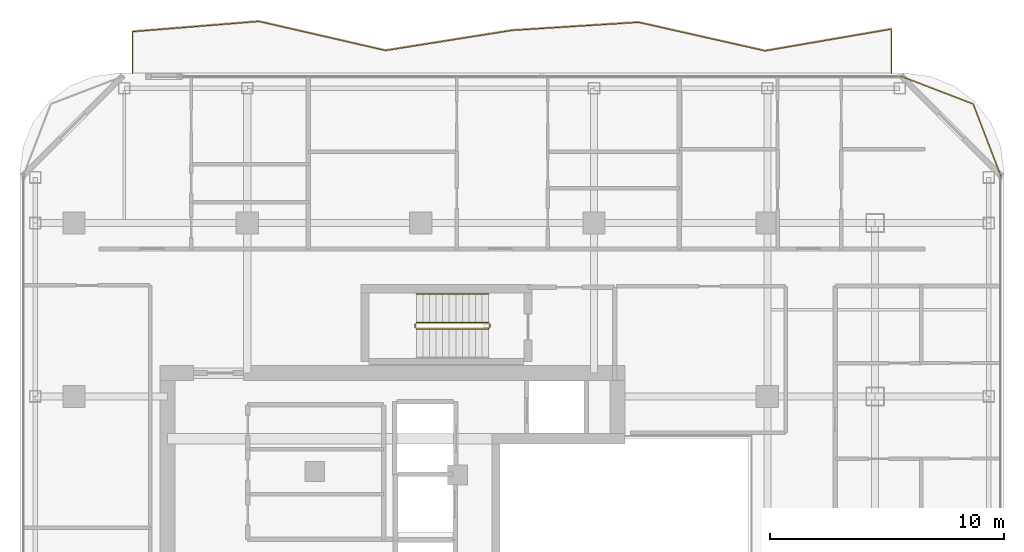
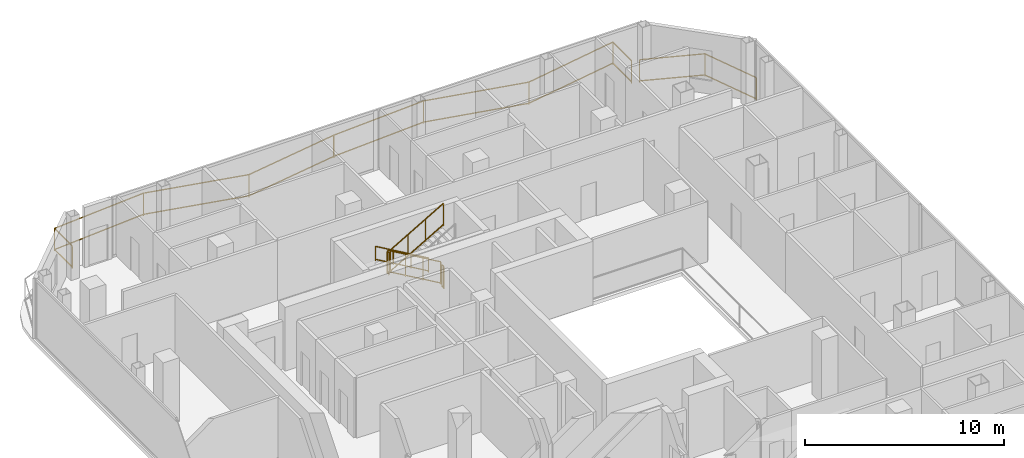
# One storey, part 23 of 23: 7 railings.
"""IFC4 building model written with IfcOpenShell, lengths in metres."""

from ifc_helpers import new_model, si_unit, direction, frame, origin, origin_2d, place, context, subcontext, project, spatial, rectangle, extrude, material, type_object, element, save


model = new_model("IFC4")

# Units and contexts
model_context = context("Model", 3, precision=1e-05, world=origin(), true_north=direction((0.0, 1.0)))
body_context = subcontext(model_context, "Body", "Model", "MODEL_VIEW")
ifc_project = project(units=[si_unit("LENGTHUNIT", "METRE"), si_unit("AREAUNIT", "SQUARE_METRE"), si_unit("VOLUMEUNIT", "CUBIC_METRE"), si_unit("PLANEANGLEUNIT", "RADIAN"), si_unit("MASSUNIT", "GRAM", prefix="KILO")], contexts=[model_context])

# Site, building, storey
site_placement = place(None, origin())
site = spatial("IfcSite", under=ifc_project, at=site_placement, CompositionType="ELEMENT")
building_placement = place(site_placement, origin())
building = spatial("IfcBuilding", under=site, at=building_placement, Name="Khorvyn Point Tower", CompositionType="ELEMENT")
storey_placement = place(building_placement, frame((0.0, 0.0, 258.60009765625)))
storey = spatial("IfcBuildingStorey", under=building, at=storey_placement, Name="L63", CompositionType="ELEMENT", Elevation=258.60009765625)

# Railings
ifc_material_1 = material(Name="Anodised aluminium 6063-T6 and laminated safety glass", Category="aluminium")
railing_type_1 = type_object("IfcRailingType", Name="Laminated Glass and Aluminium Balcony Guardrail 1400", PredefinedType="BALUSTRADE", material=ifc_material_1)
railing_1_placement = place(storey_placement, frame((24.7744140625, 16.78662109375, 0.0)))
element("IfcRailing", 1, at=railing_1_placement, inside=storey, type_object=railing_type_1, Name="L63 Rounded Corner Edge Guardrail NE", PredefinedType="BALUSTRADE", context=body_context, shape_type="SweptSolid", body=[
    extrude(rectangle(XDim=0.048095703125, YDim=0.048095703125, at=origin_2d()), frame((0.0, 0.0, 1.3759765625), z_axis=(-0.358392411044, 0.93357103624, 0.0), x_axis=(-0.93357103624, -0.358392411044, 0.0)), (0.0, 0.0, 1.0), 3.31884765625),
    extrude(rectangle(XDim=0.048095703125, YDim=0.048095703125, at=origin_2d()), frame((0.0, 0.0, 0.080078125), z_axis=(-0.358392411044, 0.93357103624, 0.0), x_axis=(-0.93357103624, -0.358392411044, 0.0)), (0.0, 0.0, 1.0), 3.31884765625),
    extrude(rectangle(XDim=0.048095703125, YDim=0.048095703125, at=origin_2d()), frame((-1.189453125, 3.098388671875, 1.3759765625), z_axis=(-0.93357103624, 0.358392411044, 0.0), x_axis=(-0.358392411044, -0.93357103624, 0.0)), (0.0, 0.0, 1.0), 3.31884765625),
    extrude(rectangle(XDim=0.048095703125, YDim=0.048095703125, at=origin_2d()), frame((-1.189453125, 3.098388671875, 0.080078125), z_axis=(-0.93357103624, 0.358392411044, 0.0), x_axis=(-0.358392411044, -0.93357103624, 0.0)), (0.0, 0.0, 1.0), 3.31884765625),
    extrude(rectangle(XDim=0.0419921875, YDim=0.0419921875, at=origin_2d()), origin(), (0.0, 0.0, 1.0), 1.351806640625),
    extrude(rectangle(XDim=0.0419921875, YDim=0.0419921875, at=origin_2d()), frame((-1.189453125, 3.098388671875, 0.0)), (0.0, 0.0, 1.0), 1.351806640625),
    extrude(rectangle(XDim=0.0419921875, YDim=0.0419921875, at=origin_2d()), frame((-4.287841796875, 4.287841796875, 0.0)), (0.0, 0.0, 1.0), 1.351806640625),
])
railing_2_placement = place(storey_placement, frame((20.10009765625, 21.199951171875, 0.0)))
element("IfcRailing", 2, at=railing_2_placement, inside=storey, type_object=railing_type_1, Name="L63 North Balcony Guardrail", PredefinedType="BALUSTRADE", context=body_context, shape_type="SweptSolid", body=[
    extrude(rectangle(XDim=0.048095703125, YDim=0.048095703125, at=origin_2d()), frame((0.0, 0.0, 1.3759765625), z_axis=(0.0, 1.0, 0.0), x_axis=(-1.0, 0.0, 0.0)), (0.0, 0.0, 1.0), 1.881591796875),
    extrude(rectangle(XDim=0.048095703125, YDim=0.048095703125, at=origin_2d()), frame((0.0, 0.0, 0.080078125), z_axis=(0.0, 1.0, 0.0), x_axis=(-1.0, 0.0, 0.0)), (0.0, 0.0, 1.0), 1.881591796875),
    extrude(rectangle(XDim=0.048095703125, YDim=0.048095703125, at=origin_2d()), frame((0.0, 1.881591796875, 1.3759765625), z_axis=(-0.985524357442, -0.169533893036, 0.0), x_axis=(0.169533893036, -0.985524357442, 0.0)), (0.0, 0.0, 1.0), 5.4794921875),
    extrude(rectangle(XDim=0.048095703125, YDim=0.048095703125, at=origin_2d()), frame((0.0, 1.881591796875, 0.080078125), z_axis=(-0.985524357442, -0.169533893036, 0.0), x_axis=(0.169533893036, -0.985524357442, 0.0)), (0.0, 0.0, 1.0), 5.4794921875),
    extrude(rectangle(XDim=0.048095703125, YDim=0.048095703125, at=origin_2d()), frame((-5.400146484375, 0.95263671875, 1.3759765625), z_axis=(-0.975510952873, 0.219950860023, 0.0), x_axis=(-0.219950860023, -0.975510952873, 0.0)), (0.0, 0.0, 1.0), 5.535400390625),
    extrude(rectangle(XDim=0.048095703125, YDim=0.048095703125, at=origin_2d()), frame((-5.400146484375, 0.95263671875, 0.080078125), z_axis=(-0.975510952873, 0.219950860023, 0.0), x_axis=(-0.219950860023, -0.975510952873, 0.0)), (0.0, 0.0, 1.0), 5.535400390625),
    extrude(rectangle(XDim=0.048095703125, YDim=0.048095703125, at=origin_2d()), frame((-10.800048828125, 2.170166015625, 1.3759765625), z_axis=(-0.997982973063, -0.063482166603, 0.0), x_axis=(0.063482166603, -0.997982973063, 0.0)), (0.0, 0.0, 1.0), 5.4111328125),
    extrude(rectangle(XDim=0.048095703125, YDim=0.048095703125, at=origin_2d()), frame((-10.800048828125, 2.170166015625, 0.080078125), z_axis=(-0.997982973063, -0.063482166603, 0.0), x_axis=(0.063482166603, -0.997982973063, 0.0)), (0.0, 0.0, 1.0), 5.4111328125),
    extrude(rectangle(XDim=0.048095703125, YDim=0.048095703125, at=origin_2d()), frame((-16.2001953125, 1.82666015625, 1.3759765625), z_axis=(-0.987592585176, -0.157037848, 0.0), x_axis=(0.157037848, -0.987592585176, 0.0)), (0.0, 0.0, 1.0), 5.4677734375),
    extrude(rectangle(XDim=0.048095703125, YDim=0.048095703125, at=origin_2d()), frame((-16.2001953125, 1.82666015625, 0.080078125), z_axis=(-0.987592585176, -0.157037848, 0.0), x_axis=(0.157037848, -0.987592585176, 0.0)), (0.0, 0.0, 1.0), 5.4677734375),
    extrude(rectangle(XDim=0.048095703125, YDim=0.048095703125, at=origin_2d()), frame((-21.60009765625, 0.968017578125, 1.3759765625), z_axis=(-0.974604637949, 0.223932578445, 0.0), x_axis=(-0.223932578445, -0.974604637949, 0.0)), (0.0, 0.0, 1.0), 5.54052734375),
    extrude(rectangle(XDim=0.048095703125, YDim=0.048095703125, at=origin_2d()), frame((-21.60009765625, 0.968017578125, 0.080078125), z_axis=(-0.974604637949, 0.223932578445, 0.0), x_axis=(-0.223932578445, -0.974604637949, 0.0)), (0.0, 0.0, 1.0), 5.54052734375),
    extrude(rectangle(XDim=0.048095703125, YDim=0.048095703125, at=origin_2d()), frame((-27.0, 2.208740234375, 1.3759765625), z_axis=(-0.996730617582, -0.080796509667, 0.0), x_axis=(0.080796509667, -0.996730617582, 0.0)), (0.0, 0.0, 1.0), 5.41796875),
    extrude(rectangle(XDim=0.048095703125, YDim=0.048095703125, at=origin_2d()), frame((-27.0, 2.208740234375, 0.080078125), z_axis=(-0.996730617582, -0.080796509667, 0.0), x_axis=(0.080796509667, -0.996730617582, 0.0)), (0.0, 0.0, 1.0), 5.41796875),
    extrude(rectangle(XDim=0.048095703125, YDim=0.048095703125, at=origin_2d()), frame((-32.400146484375, 1.77099609375, 1.3759765625), z_axis=(0.0, -1.0, 0.0), x_axis=(1.0, 0.0, 0.0)), (0.0, 0.0, 1.0), 1.77099609375),
    extrude(rectangle(XDim=0.048095703125, YDim=0.048095703125, at=origin_2d()), frame((-32.400146484375, 1.77099609375, 0.080078125), z_axis=(0.0, -1.0, 0.0), x_axis=(1.0, 0.0, 0.0)), (0.0, 0.0, 1.0), 1.77099609375),
    extrude(rectangle(XDim=0.0419921875, YDim=0.0419921875, at=origin_2d()), origin(), (0.0, 0.0, 1.0), 1.351806640625),
    extrude(rectangle(XDim=0.0419921875, YDim=0.0419921875, at=origin_2d()), frame((0.0, 1.881591796875, 0.0)), (0.0, 0.0, 1.0), 1.351806640625),
    extrude(rectangle(XDim=0.0419921875, YDim=0.0419921875, at=origin_2d()), frame((-5.400146484375, 0.95263671875, 0.0)), (0.0, 0.0, 1.0), 1.351806640625),
    extrude(rectangle(XDim=0.0419921875, YDim=0.0419921875, at=origin_2d()), frame((-10.800048828125, 2.170166015625, 0.0)), (0.0, 0.0, 1.0), 1.351806640625),
    extrude(rectangle(XDim=0.0419921875, YDim=0.0419921875, at=origin_2d()), frame((-16.2001953125, 1.82666015625, 0.0)), (0.0, 0.0, 1.0), 1.351806640625),
    extrude(rectangle(XDim=0.0419921875, YDim=0.0419921875, at=origin_2d()), frame((-21.60009765625, 0.968017578125, 0.0)), (0.0, 0.0, 1.0), 1.351806640625),
    extrude(rectangle(XDim=0.0419921875, YDim=0.0419921875, at=origin_2d()), frame((-27.0, 2.208740234375, 0.0)), (0.0, 0.0, 1.0), 1.351806640625),
    extrude(rectangle(XDim=0.0419921875, YDim=0.0419921875, at=origin_2d()), frame((-32.400146484375, 1.77099609375, 0.0)), (0.0, 0.0, 1.0), 1.351806640625),
    extrude(rectangle(XDim=0.0419921875, YDim=0.0419921875, at=origin_2d()), frame((-32.400146484375, 0.0, 0.0)), (0.0, 0.0, 1.0), 1.351806640625),
])
ifc_material_2 = material(Name="Stainless steel 1.4301", Category="steel")
railing_type_2 = type_object("IfcRailingType", Name="Stainless Steel 304 Stair Pitch Handrail 900", PredefinedType="HANDRAIL", material=ifc_material_2)
railing_3_placement = place(storey_placement, frame((2.89990234375, 11.77001953125, 0.162353515625)))
element("IfcRailing", 3, at=railing_3_placement, inside=storey, type_object=railing_type_2, Name="L63 ST-02 stair handrail 1", PredefinedType="HANDRAIL", context=body_context, shape_type="SweptSolid", body=[
    extrude(rectangle(XDim=0.048095703125, YDim=0.048095703125, at=origin_2d()), frame((0.0, 0.0, 0.8759765625), z_axis=(-0.864873446163, 0.0, 0.501989962173), x_axis=(0.0, -1.0, 0.0)), (0.0, 0.0, 1.0), 3.56103515625),
    extrude(rectangle(XDim=0.048095703125, YDim=0.048095703125, at=origin_2d()), frame((0.0, 0.0, 0.080078125), z_axis=(-0.864873446163, 0.0, 0.501989962173), x_axis=(0.0, -1.0, 0.0)), (0.0, 0.0, 1.0), 3.56103515625),
    extrude(rectangle(XDim=0.0419921875, YDim=0.0419921875, at=origin_2d()), origin(), (0.0, 0.0, 1.0), 0.851806640625),
    extrude(rectangle(XDim=0.0419921875, YDim=0.0419921875, at=origin_2d()), frame((-1.026611328125, 0.0, 0.595947265625)), (0.0, 0.0, 1.0), 0.851806640625),
    extrude(rectangle(XDim=0.0419921875, YDim=0.0419921875, at=origin_2d()), frame((-2.05322265625, 0.0, 1.191650390625)), (0.0, 0.0, 1.0), 0.851806640625),
    extrude(rectangle(XDim=0.0419921875, YDim=0.0419921875, at=origin_2d()), frame((-3.079833984375, 0.0, 1.78759765625)), (0.0, 0.0, 1.0), 0.851806640625),
])
railing_type_3 = type_object("IfcRailingType", Name="Stainless Steel 304 Stair Well Guardrail 1400", PredefinedType="GUARDRAIL", material=ifc_material_2)
railing_4_placement = place(storey_placement, frame((2.89990234375, 10.550048828125, 0.162353515625)))
element("IfcRailing", 4, at=railing_4_placement, inside=storey, type_object=railing_type_3, Name="L63 ST-02 stair guard 1", PredefinedType="GUARDRAIL", context=body_context, shape_type="SweptSolid", body=[
    extrude(rectangle(XDim=0.048095703125, YDim=0.048095703125, at=origin_2d()), frame((0.0, 0.0, 1.3759765625), z_axis=(-0.864873446163, 0.0, 0.501989962173), x_axis=(0.0, -1.0, 0.0)), (0.0, 0.0, 1.0), 3.56103515625),
    extrude(rectangle(XDim=0.048095703125, YDim=0.048095703125, at=origin_2d()), frame((0.0, 0.0, 0.080078125), z_axis=(-0.864873446163, 0.0, 0.501989962173), x_axis=(0.0, -1.0, 0.0)), (0.0, 0.0, 1.0), 3.56103515625),
    extrude(rectangle(XDim=0.0419921875, YDim=0.0419921875, at=origin_2d()), origin(), (0.0, 0.0, 1.0), 1.351806640625),
    extrude(rectangle(XDim=0.0419921875, YDim=0.0419921875, at=origin_2d()), frame((-1.026611328125, 0.0, 0.595947265625)), (0.0, 0.0, 1.0), 1.351806640625),
    extrude(rectangle(XDim=0.0419921875, YDim=0.0419921875, at=origin_2d()), frame((-2.05322265625, 0.0, 1.191650390625)), (0.0, 0.0, 1.0), 1.351806640625),
    extrude(rectangle(XDim=0.0419921875, YDim=0.0419921875, at=origin_2d()), frame((-3.079833984375, 0.0, 1.78759765625)), (0.0, 0.0, 1.0), 1.351806640625),
])
railing_5_placement = place(storey_placement, frame((-0.22998046875, 10.5, 1.949951171875)))
element("IfcRailing", 5, at=railing_5_placement, inside=storey, type_object=railing_type_3, Name="L63 ST-02 stair guard 2", PredefinedType="GUARDRAIL", context=body_context, shape_type="SweptSolid", body=[
    extrude(rectangle(XDim=0.048095703125, YDim=0.048095703125, at=origin_2d()), frame((0.0, 0.0, 1.3759765625), z_axis=(0.0, -1.0, 0.0), x_axis=(1.0, 0.0, 0.0)), (0.0, 0.0, 1.0), 0.159912109375),
    extrude(rectangle(XDim=0.048095703125, YDim=0.048095703125, at=origin_2d()), frame((0.0, 0.0, 0.080078125), z_axis=(0.0, -1.0, 0.0), x_axis=(1.0, 0.0, 0.0)), (0.0, 0.0, 1.0), 0.159912109375),
    extrude(rectangle(XDim=0.0419921875, YDim=0.0419921875, at=origin_2d()), origin(), (0.0, 0.0, 1.0), 1.351806640625),
    extrude(rectangle(XDim=0.0419921875, YDim=0.0419921875, at=origin_2d()), frame((0.0, -0.159912109375, 0.0)), (0.0, 0.0, 1.0), 1.351806640625),
])
railing_6_placement = place(storey_placement, frame((-0.179931640625, 10.2900390625, 2.1123046875)))
element("IfcRailing", 6, at=railing_6_placement, inside=storey, type_object=railing_type_3, Name="L63 ST-02 stair guard 3", PredefinedType="GUARDRAIL", context=body_context, shape_type="SweptSolid", body=[
    extrude(rectangle(XDim=0.048095703125, YDim=0.048095703125, at=origin_2d()), frame((0.0, 0.0, 1.3759765625), z_axis=(0.864873446163, 0.0, 0.501989962173), x_axis=(0.0, 1.0, 0.0)), (0.0, 0.0, 1.0), 3.56103515625),
    extrude(rectangle(XDim=0.048095703125, YDim=0.048095703125, at=origin_2d()), frame((0.0, 0.0, 0.080078125), z_axis=(0.864873446163, 0.0, 0.501989962173), x_axis=(0.0, 1.0, 0.0)), (0.0, 0.0, 1.0), 3.56103515625),
    extrude(rectangle(XDim=0.0419921875, YDim=0.0419921875, at=origin_2d()), origin(), (0.0, 0.0, 1.0), 1.351806640625),
    extrude(rectangle(XDim=0.0419921875, YDim=0.0419921875, at=origin_2d()), frame((1.026611328125, 0.0, 0.595947265625)), (0.0, 0.0, 1.0), 1.351806640625),
    extrude(rectangle(XDim=0.0419921875, YDim=0.0419921875, at=origin_2d()), frame((2.05322265625, 0.0, 1.191650390625)), (0.0, 0.0, 1.0), 1.351806640625),
    extrude(rectangle(XDim=0.0419921875, YDim=0.0419921875, at=origin_2d()), frame((3.079833984375, 0.0, 1.78759765625)), (0.0, 0.0, 1.0), 1.351806640625),
])
railing_7_placement = place(storey_placement, frame((2.949951171875, 10.5, 0.0)))
element("IfcRailing", 7, at=railing_7_placement, inside=storey, type_object=railing_type_3, Name="L63 ST-02 stair guard 4", PredefinedType="GUARDRAIL", context=body_context, shape_type="SweptSolid", body=[
    extrude(rectangle(XDim=0.048095703125, YDim=0.048095703125, at=origin_2d()), frame((0.0, 0.0, 1.3759765625), z_axis=(0.0, -1.0, 0.0), x_axis=(1.0, 0.0, 0.0)), (0.0, 0.0, 1.0), 0.159912109375),
    extrude(rectangle(XDim=0.048095703125, YDim=0.048095703125, at=origin_2d()), frame((0.0, 0.0, 0.080078125), z_axis=(0.0, -1.0, 0.0), x_axis=(1.0, 0.0, 0.0)), (0.0, 0.0, 1.0), 0.159912109375),
    extrude(rectangle(XDim=0.0419921875, YDim=0.0419921875, at=origin_2d()), origin(), (0.0, 0.0, 1.0), 1.351806640625),
    extrude(rectangle(XDim=0.0419921875, YDim=0.0419921875, at=origin_2d()), frame((0.0, -0.159912109375, 0.0)), (0.0, 0.0, 1.0), 1.351806640625),
])

save(model, "model.ifc")
